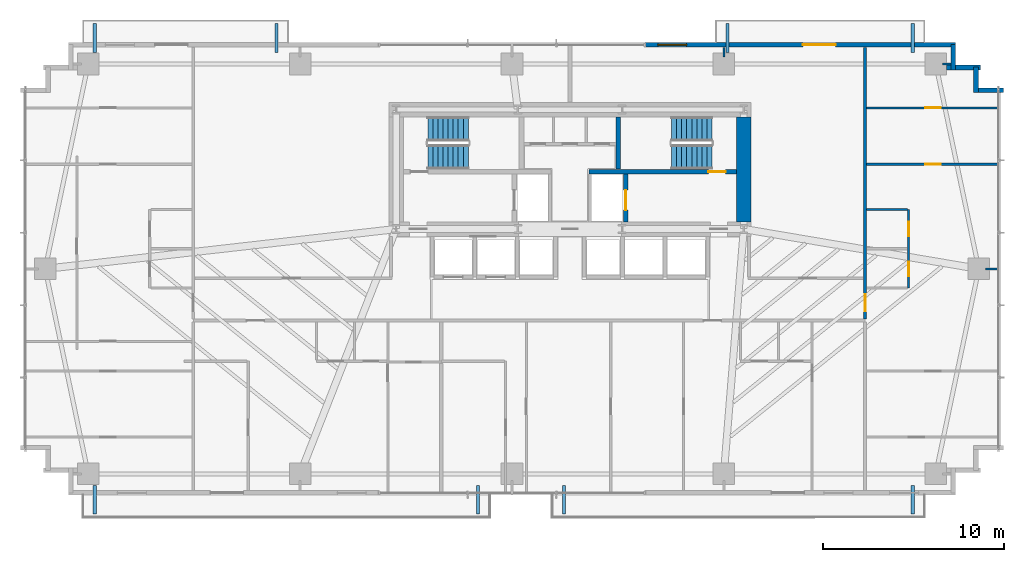
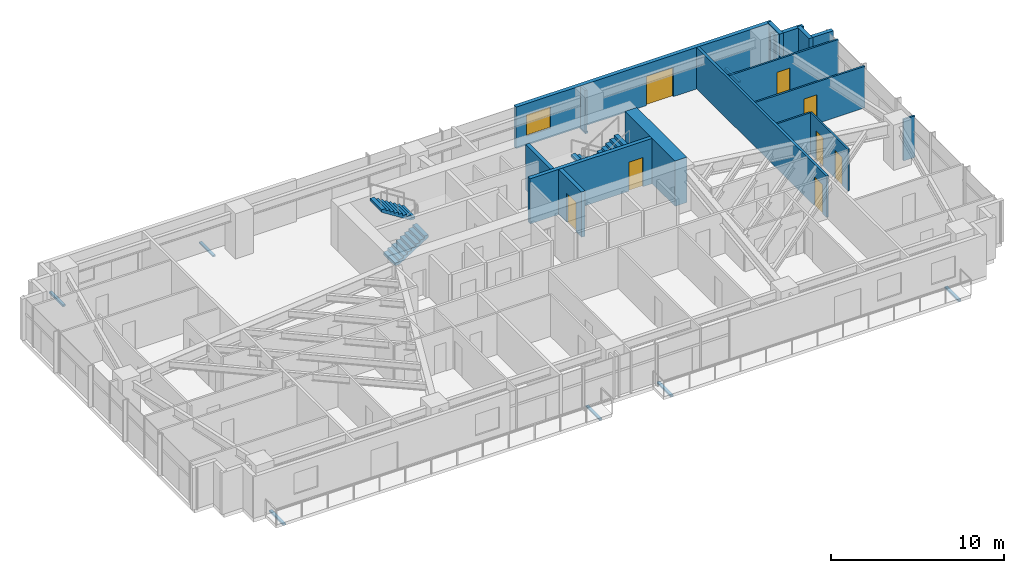
# One storey, part 22 of 25: 17 walls, 8 discrete accessories, 8 doors, 4 stair flights, 1 window, 9 openings, 2 elements without a shape of their own.
"""IFC4 building model written with IfcOpenShell, lengths in metres."""

import ifcopenshell
import ifcopenshell.guid

model = None  # the IFC model being written
_history = None  # IfcOwnerHistory: only IFC2X3 demands one
_inside = {}  # id of a spatial element -> (the spatial element, [elements in it])
_under = {}  # id of a project, library or spatial element -> (it, [spatial elements below it])
_declared = {}  # id of a project -> (the project, [libraries it declares])
_typed = {}  # id of a type object -> (the type object, [elements of that type])
_made_of = {}  # id of a material, layer set ... -> (it, [elements and type objects made of it])


def new_model(schema):
    """Start an empty IFC model of exactly this schema.

    Asked for "IFC4X3", IfcOpenShell would pick the latest addendum, in which some entities
    have other attributes; the version numbers below select the first issue.
    IFC2X3 requires an IfcOwnerHistory on every rooted entity: one is made here for all.
    """
    global model, _history
    if schema == "IFC4X3":
        model = ifcopenshell.file(schema_version=(4, 3, 0, 0))
    else:
        model = ifcopenshell.file(schema=schema)
    _inside.clear()
    _under.clear()
    _declared.clear()
    _typed.clear()
    _made_of.clear()
    _history = None
    if model.schema == "IFC2X3":
        org = make("IfcOrganization", Name="unknown")
        user = make(
            "IfcPersonAndOrganization",
            ThePerson=make("IfcPerson", FamilyName="unknown"),
            TheOrganization=org,
        )
        app = make(
            "IfcApplication",
            ApplicationDeveloper=org,
            Version="unknown",
            ApplicationFullName="unknown",
            ApplicationIdentifier="unknown",
        )
        _history = make(
            "IfcOwnerHistory",
            OwningUser=user,
            OwningApplication=app,
            ChangeAction="ADDED",
            CreationDate=0,
        )
    return model


def make(cls, **values):
    """One entity of the class cls with the attributes given. An attribute that is None is left unset."""
    return model.create_entity(
        cls, **{name: value for name, value in values.items() if value is not None}
    )


def rooted(cls, **values):
    """An entity with a GlobalId (a new one), such as an element, a storey or a relation."""
    return make(cls, GlobalId=ifcopenshell.guid.new(), OwnerHistory=_history, **values)


def si_unit(unit_type, name, prefix=None):
    """IfcSIUnit, for example si_unit("LENGTHUNIT", "METRE", prefix="MILLI")."""
    return make("IfcSIUnit", UnitType=unit_type, Prefix=prefix, Name=name)


def assignment(units):
    """IfcUnitAssignment: the units of a project."""
    return None if units is None else make("IfcUnitAssignment", Units=units)


def point(xyz):
    """IfcCartesianPoint."""
    return None if xyz is None else make("IfcCartesianPoint", Coordinates=xyz)


def direction(xyz):
    """IfcDirection."""
    return None if xyz is None else make("IfcDirection", DirectionRatios=xyz)


def frame(location, z_axis=None, x_axis=None):
    """IfcAxis2Placement3D, a coordinate frame: its origin and axes. An axis left out is left unset."""
    return make(
        "IfcAxis2Placement3D",
        Location=point(location),
        Axis=direction(z_axis),
        RefDirection=direction(x_axis),
    )


def frame_2d(location, x_axis=None):
    """IfcAxis2Placement2D, a coordinate frame in the plane: its origin and x axis."""
    return make(
        "IfcAxis2Placement2D", Location=point(location), RefDirection=direction(x_axis)
    )


def origin():
    """The frame at (0, 0, 0) with its axes left unset."""
    return frame((0.0, 0.0, 0.0))


def origin_2d():
    """The frame at (0, 0) in the plane with its x axis left unset."""
    return frame_2d((0.0, 0.0))


def place(relative_to, where):
    """IfcLocalPlacement: puts the frame where relative to a parent placement (None: the world)."""
    return make(
        "IfcLocalPlacement", PlacementRelTo=relative_to, RelativePlacement=where
    )


def context(
    kind, dimensions, precision=None, world=None, true_north=None, identifier=None
):
    """IfcGeometricRepresentationContext, for example the 3D "Model" context."""
    return make(
        "IfcGeometricRepresentationContext",
        ContextIdentifier=identifier,
        ContextType=kind,
        CoordinateSpaceDimension=dimensions,
        Precision=precision,
        WorldCoordinateSystem=world,
        TrueNorth=true_north,
    )


def subcontext(parent, identifier, kind, view, scale=None):
    """IfcGeometricRepresentationSubContext, for example "Body" below "Model"."""
    return make(
        "IfcGeometricRepresentationSubContext",
        ContextIdentifier=identifier,
        ContextType=kind,
        ParentContext=parent,
        TargetScale=scale,
        TargetView=view,
    )


def project(units=None, contexts=None):
    """IfcProject with its units and contexts."""
    return rooted(
        "IfcProject",
        Name="project",
        RepresentationContexts=contexts,
        UnitsInContext=assignment(units),
    )


def spatial(cls, under=None, at=None, **own):
    """A site, building, storey or space (cls), placed at a placement, below another one or the project."""
    s = rooted(cls, ObjectPlacement=at, **own)
    if under is not None:
        _under.setdefault(under.id(), (under, []))[1].append(s)
    return s


def polyline(points):
    """IfcPolyline through the points."""
    return make("IfcPolyline", Points=[point(p) for p in points])


def profile(cls, at=None, kind="AREA", **sizes):
    """A parametric profile (cls). Its sizes go by their IFC names, for example OverallWidth=200.0."""
    return make(cls, ProfileType=kind, Position=at, **sizes)


def rectangle(**sizes):
    """IfcRectangleProfileDef."""
    return profile("IfcRectangleProfileDef", **sizes)


def outline(outer, holes=None, kind="AREA"):
    """IfcArbitraryClosedProfileDef: a profile drawn as a closed curve; with holes, ...WithVoids."""
    if holes is None:
        return make("IfcArbitraryClosedProfileDef", ProfileType=kind, OuterCurve=outer)
    return make(
        "IfcArbitraryProfileDefWithVoids",
        ProfileType=kind,
        OuterCurve=outer,
        InnerCurves=holes,
    )


def extrude(swept, where, along, depth):
    """IfcExtrudedAreaSolid: the profile swept, set in the frame where, extruded along a direction by depth."""
    return make(
        "IfcExtrudedAreaSolid",
        SweptArea=swept,
        Position=where,
        ExtrudedDirection=direction(along),
        Depth=depth,
    )


def shape(context_of_items, identifier, shape_type, items):
    """IfcShapeRepresentation: the items that make up one representation, for example the "Body"."""
    return make(
        "IfcShapeRepresentation",
        ContextOfItems=context_of_items,
        RepresentationIdentifier=identifier,
        RepresentationType=shape_type,
        Items=items,
    )


def source(mapping_origin, context_of_items, identifier, shape_type, items):
    """IfcRepresentationMap: a shape defined once, which mapped items show again and again."""
    return make(
        "IfcRepresentationMap",
        MappingOrigin=mapping_origin,
        MappedRepresentation=shape(context_of_items, identifier, shape_type, items),
    )


def transform(
    local_origin,
    x_axis=None,
    y_axis=None,
    z_axis=None,
    scale=None,
    scale2=None,
    scale3=None,
    uniform=True,
):
    """IfcCartesianTransformationOperator3D, or its non-uniform kind. x_axis, y_axis, z_axis: its Axis1, 2, 3."""
    if uniform:
        return make(
            "IfcCartesianTransformationOperator3D",
            Axis1=direction(x_axis),
            Axis2=direction(y_axis),
            LocalOrigin=point(local_origin),
            Scale=scale,
            Axis3=direction(z_axis),
        )
    return make(
        "IfcCartesianTransformationOperator3DnonUniform",
        Axis1=direction(x_axis),
        Axis2=direction(y_axis),
        LocalOrigin=point(local_origin),
        Scale=scale,
        Axis3=direction(z_axis),
        Scale2=scale2,
        Scale3=scale3,
    )


def mapped(mapping_source, mapping_target):
    """IfcMappedItem: shows the shape of a source again, moved by a transform."""
    return make(
        "IfcMappedItem", MappingSource=mapping_source, MappingTarget=mapping_target
    )


def material(Name=None, Category=None):
    """IfcMaterial."""
    return make("IfcMaterial", Name=Name, Category=Category)


def layer(
    of_material, thickness, ventilated=None, Name=None, Category=None, Priority=None
):
    """IfcMaterialLayer: one layer of a wall or slab, of a material (None: an air gap)."""
    return make(
        "IfcMaterialLayer",
        Material=of_material,
        LayerThickness=thickness,
        IsVentilated=ventilated,
        Name=Name,
        Category=Category,
        Priority=Priority,
    )


def layer_set(layers, Name=None):
    """IfcMaterialLayerSet."""
    return make("IfcMaterialLayerSet", MaterialLayers=layers, LayerSetName=Name)


def made_of(thing, what):
    """Note that an element or type object is made of a material, layer set ...; save() writes the relation."""
    if what is not None:
        _made_of.setdefault(what.id(), (what, []))[1].append(thing)
    return thing


def type_object(cls, material=None, **own):
    """A type object (cls), such as IfcWallType, which elements share."""
    return made_of(rooted(cls, **own), material)


def type_shapes(of_type, sources):
    """Give a type object the sources (RepresentationMaps) that its elements show as mapped items."""
    of_type.RepresentationMaps = sources


def element(
    cls,
    number,
    at=None,
    inside=None,
    cuts=None,
    type_object=None,
    material=None,
    context=None,
    identifier="Body",
    shape_type=None,
    held_by="IfcProductDefinitionShape",
    body=None,
    shapes=None,
    **own,
):
    """One element of the class cls, such as IfcWall. Its Tag is "e" and its number.

    at: its placement. inside: the storey or other place that contains it. cuts: it is an
    opening in that element (IfcRelVoidsElement). A single representation is given by context,
    identifier, shape_type and body (its items); several are given by shapes. held_by: the class
    of the entity that holds the representations. save() writes the other relations.
    """
    e = rooted(cls, Tag="e%d" % number, ObjectPlacement=at, **own)
    if body is not None:
        shapes = [shape(context, identifier, shape_type, body)]
    if shapes is not None:
        e.Representation = make(held_by, Representations=shapes)
    if inside is not None:
        _inside.setdefault(inside.id(), (inside, []))[1].append(e)
    if cuts is not None:
        rooted(
            "IfcRelVoidsElement", RelatingBuildingElement=cuts, RelatedOpeningElement=e
        )
    if type_object is not None:
        _typed.setdefault(type_object.id(), (type_object, []))[1].append(e)
    return made_of(e, material)


def fill(opening, filler):
    """IfcRelFillsElement: the door or window that sits in an opening."""
    return rooted(
        "IfcRelFillsElement",
        RelatingOpeningElement=opening,
        RelatedBuildingElement=filler,
    )


def aggregate(whole, parts):
    """IfcRelAggregates: a whole, such as a stair, and the parts it consists of."""
    return rooted("IfcRelAggregates", RelatingObject=whole, RelatedObjects=parts)


def save(model, path):
    """Write the relations noted so far, then the file.

    IfcRelAggregates (storeys below a building ...), IfcRelContainedInSpatialStructure (elements
    in a storey), IfcRelDefinesByType, IfcRelAssociatesMaterial and IfcRelDeclares: one each for
    every whole, place, type object, material and project.
    """
    for whole, parts in _under.values():
        aggregate(whole, parts)
    for where, things in _inside.values():
        rooted(
            "IfcRelContainedInSpatialStructure",
            RelatedElements=things,
            RelatingStructure=where,
        )
    for kind, things in _typed.values():
        rooted("IfcRelDefinesByType", RelatedObjects=things, RelatingType=kind)
    for what, things in _made_of.values():
        rooted("IfcRelAssociatesMaterial", RelatedObjects=things, RelatingMaterial=what)
    for by, libraries in _declared.values():
        rooted("IfcRelDeclares", RelatingContext=by, RelatedDefinitions=libraries)
    model.write(path)


model = new_model("IFC4")

# Units and contexts
model_context = context("Model", 3, precision=1e-05, world=origin(), true_north=direction((0.0, 1.0)))
body_context = subcontext(model_context, "Body", "Model", "MODEL_VIEW")
ifc_project = project(units=[si_unit("LENGTHUNIT", "METRE"), si_unit("AREAUNIT", "SQUARE_METRE"), si_unit("VOLUMEUNIT", "CUBIC_METRE"), si_unit("PLANEANGLEUNIT", "RADIAN"), si_unit("MASSUNIT", "GRAM", prefix="KILO")], contexts=[model_context])

# Site, building, storey
site_placement = place(None, origin())
site = spatial("IfcSite", under=ifc_project, at=site_placement, CompositionType="ELEMENT")
building_placement = place(site_placement, origin())
building = spatial("IfcBuilding", under=site, at=building_placement, Name="Astriad Promenade Condominiums", CompositionType="ELEMENT")
storey_placement = place(building_placement, frame((0.0, 0.0, 29.39990234375)))
storey = spatial("IfcBuildingStorey", under=building, at=storey_placement, Name="L07", CompositionType="ELEMENT", Elevation=29.39990234375)

# Wall
ifc_material_1 = material(Name="Concrete C80/95", Category="concrete")
ifc_layer_1 = layer(ifc_material_1, 0.800048828125)
ifc_layer_set_1 = layer_set([ifc_layer_1], Name="Concrete C80/95")
wall_type_1 = type_object("IfcWallType", Name="CW-SHEAR-800", PredefinedType="SHEAR", material=ifc_layer_set_1)
wall_1_placement = place(storey_placement, frame((45.60009765625, 17.802001953125, 0.0), z_axis=(0.0, 0.0, 1.0), x_axis=(0.0, 1.0, 0.0)))
element("IfcWall", 1, at=wall_1_placement, inside=storey, type_object=wall_type_1, Name="CW-CORE-E-L07", PredefinedType="SHEAR", context=body_context, shape_type="SweptSolid", body=[
    extrude(rectangle(XDim=5.7958984375, YDim=0.800048828125, at=frame_2d((2.89794921875, 0.0))), origin(), (0.0, 0.0, 1.0), 3.2001953125),
])

# Wall, opening, door
ifc_material_2 = material(Name="Concrete C50/60", Category="concrete")
ifc_layer_2 = layer(ifc_material_2, 0.25)
ifc_layer_set_2 = layer_set([ifc_layer_2], Name="Concrete C50/60")
wall_type_2 = type_object("IfcWallType", Name="WALL-CORE-INT-250", PredefinedType="SOLIDWALL", material=ifc_layer_set_2)
wall_2_placement = place(storey_placement, frame((37.050048828125, 20.574951171875, 0.0), z_axis=(0.0, 0.0, 1.0), x_axis=(1.0, 0.0, 0.0)))
wall_2 = element("IfcWall", 2, at=wall_2_placement, inside=storey, type_object=wall_type_2, Name="CW-INT-H2-L07", PredefinedType="SOLIDWALL", context=body_context, shape_type="SweptSolid", body=[
    extrude(rectangle(XDim=8.14794921875, YDim=0.25, at=frame_2d((4.073974609375, 0.0))), origin(), (0.0, 0.0, 1.0), 3.2001953125),
])
opening_1_placement = place(wall_2_placement, frame((6.60009765625, 0.0, 0.0)))
opening_1 = element("IfcOpeningElement", 3, at=opening_1_placement, cuts=wall_2, Name="Opening FD90-ST-095", PredefinedType="OPENING", context=body_context, shape_type="SweptSolid", body=[
    extrude(rectangle(XDim=0.949951171875, YDim=2.06005859375, at=frame_2d((0.47509765625, 1.030029296875))), frame((0.0, 0.135009765625, 0.0), z_axis=(0.0, -1.0, 0.0), x_axis=(1.0, 0.0, 0.0)), (0.0, 0.0, 1.0), 0.27001953125),
])
ifc_material_3 = material(Name="Fire-Rated Hollow Metal Stair Door")
door_type_1 = type_object("IfcDoorType", Name="FD90-ST-095", OperationType="NOTDEFINED", PredefinedType="DOOR", material=ifc_material_3)
shared_shape_1 = source(origin(), body_context, "Body", "SweptSolid", [
    extrude(rectangle(XDim=0.949951171875, YDim=2.06005859375, at=frame_2d((0.47509765625, 1.030029296875))), frame((0.0, 0.02490234375, 0.0), z_axis=(0.0, -1.0, 0.0), x_axis=(1.0, 0.0, 0.0)), (0.0, 0.0, 1.0), 0.050048828125),
])
type_shapes(door_type_1, [shared_shape_1])
door_1_placement = place(opening_1_placement, origin())
door_1 = element("IfcDoor", 4, at=door_1_placement, inside=storey, type_object=door_type_1, Name="D-ST2-L07", OperationType="SINGLE_SWING_LEFT", OverallHeight=2.06005859375, OverallWidth=0.949951171875, PredefinedType="DOOR", context=body_context, shape_type="MappedRepresentation", body=[
    mapped(shared_shape_1, transform((0.0, 0.0, 0.0), scale=1.0)),
])
fill(opening_1, door_1)

# Wall
wall_3_placement = place(storey_placement, frame((38.675048828125, 20.701904296875, 0.0), z_axis=(0.0, 0.0, 1.0), x_axis=(0.0, 1.0, 0.0)))
element("IfcWall", 5, at=wall_3_placement, inside=storey, type_object=wall_type_2, Name="CW-ST2-W-L07", PredefinedType="SOLIDWALL", context=body_context, shape_type="SweptSolid", body=[
    extrude(rectangle(XDim=2.89599609375, YDim=0.25, at=frame_2d((1.447998046875, 0.0))), origin(), (0.0, 0.0, 1.0), 3.2001953125),
])

# Wall, opening, door
wall_4_placement = place(storey_placement, frame((39.074951171875, 17.802001953125, 0.0), z_axis=(0.0, 0.0, 1.0), x_axis=(0.0, 1.0, 0.0)))
wall_4 = element("IfcWall", 6, at=wall_4_placement, inside=storey, type_object=wall_type_2, Name="CW-FFL2-E-L07", PredefinedType="SOLIDWALL", context=body_context, shape_type="SweptSolid", body=[
    extrude(rectangle(XDim=2.64599609375, YDim=0.25, at=frame_2d((1.322998046875, 0.0))), origin(), (0.0, 0.0, 1.0), 3.2001953125),
])
opening_2_placement = place(wall_4_placement, frame((0.64794921875, 0.0, 0.0)))
opening_2 = element("IfcOpeningElement", 7, at=opening_2_placement, cuts=wall_4, Name="Opening LD-FFL-1122", PredefinedType="OPENING", context=body_context, shape_type="SweptSolid", body=[
    extrude(rectangle(XDim=1.10009765625, YDim=2.080078125, at=frame_2d((0.550048828125, 1.0400390625))), frame((0.0, 0.135009765625, 0.0), z_axis=(0.0, -1.0, 0.0), x_axis=(1.0, 0.0, 0.0)), (0.0, 0.0, 1.0), 0.27001953125),
])
ifc_material_4 = material(Name="Brushed Stainless Steel Fire Elevator Landing Door", Category="steel")
door_type_2 = type_object("IfcDoorType", Name="LD-FFL-1122", OperationType="NOTDEFINED", PredefinedType="DOOR", material=ifc_material_4)
shared_shape_2 = source(origin(), body_context, "Body", "SweptSolid", [
    extrude(rectangle(XDim=1.10009765625, YDim=2.080078125, at=frame_2d((0.550048828125, 1.0400390625))), frame((0.0, 0.02490234375, 0.0), z_axis=(0.0, -1.0, 0.0), x_axis=(1.0, 0.0, 0.0)), (0.0, 0.0, 1.0), 0.050048828125),
])
type_shapes(door_type_2, [shared_shape_2])
door_2_placement = place(opening_2_placement, origin())
door_2 = element("IfcDoor", 8, at=door_2_placement, inside=storey, type_object=door_type_2, Name="Elevator Landing Door FFL-2 (L07)", OperationType="SLIDING_TO_RIGHT", OverallHeight=2.080078125, OverallWidth=1.10009765625, PredefinedType="DOOR", context=body_context, shape_type="MappedRepresentation", body=[
    mapped(shared_shape_2, transform((0.0, 0.0, 0.0), scale=1.0)),
])
fill(opening_2, door_2)

ifc_material_5 = material(Name="Fire-Rated Gypsum Partition")
ifc_layer_3 = layer(ifc_material_5, 0.159912109375)
ifc_layer_set_3 = layer_set([ifc_layer_3], Name="Fire-Rated Gypsum Partition")
wall_type_3 = type_object("IfcWallType", Name="WALL-CORR-160", PredefinedType="PARTITIONING", material=ifc_layer_set_3)
wall_5_placement = place(storey_placement, frame((52.300048828125, 12.431884765625, 0.0), z_axis=(0.0, 0.0, 1.0), x_axis=(0.0, 1.0, 0.0)))
wall_5 = element("IfcWall", 9, at=wall_5_placement, inside=storey, type_object=wall_type_3, Name="PT-COR-E-L07-S2", PredefinedType="PARTITIONING", context=body_context, shape_type="SweptSolid", body=[
    extrude(rectangle(XDim=15.006103515625, YDim=0.159912109375, at=frame_2d((7.5029296875, 0.0))), origin(), (0.0, 0.0, 1.0), 2.940185546875),
])
opening_3_placement = place(wall_5_placement, frame((0.428955078125, 0.0, 0.0)))
opening_3 = element("IfcOpeningElement", 10, at=opening_3_placement, cuts=wall_5, Name="Opening FD60-APT-095", PredefinedType="OPENING", context=body_context, shape_type="SweptSolid", body=[
    extrude(rectangle(XDim=0.949951171875, YDim=2.06005859375, at=frame_2d((0.47509765625, 1.030029296875))), frame((0.0, 0.08984375, 0.0), z_axis=(0.0, -1.0, 0.0), x_axis=(1.0, 0.0, 0.0)), (0.0, 0.0, 1.0), 0.179931640625),
])
ifc_material_6 = material(Name="Solid-Core Acoustic Timber Residence Entry Door", Category="wood")
door_type_3 = type_object("IfcDoorType", Name="FD60-APT-095", OperationType="NOTDEFINED", PredefinedType="DOOR", material=ifc_material_6)
shared_shape_3 = source(origin(), body_context, "Body", "SweptSolid", [
    extrude(rectangle(XDim=0.949951171875, YDim=2.06005859375, at=frame_2d((0.47509765625, 1.030029296875))), frame((0.0, 0.02490234375, 0.0), z_axis=(0.0, -1.0, 0.0), x_axis=(1.0, 0.0, 0.0)), (0.0, 0.0, 1.0), 0.050048828125),
])
type_shapes(door_type_3, [shared_shape_3])
door_3_placement = place(opening_3_placement, origin())
door_3 = element("IfcDoor", 11, at=door_3_placement, inside=storey, type_object=door_type_3, Name="D-ENT-L07-E1", OperationType="SINGLE_SWING_RIGHT", OverallHeight=2.06005859375, OverallWidth=0.949951171875, PredefinedType="DOOR", context=body_context, shape_type="MappedRepresentation", body=[
    mapped(shared_shape_3, transform((0.0, 0.0, 0.0), scale=1.0)),
])
fill(opening_3, door_3)

# Wall, openings, door, window
ifc_material_7 = material(Name="Precast concrete C50/60", Category="concrete")
ifc_layer_4 = layer(ifc_material_7, 0.260009765625)
ifc_layer_set_4 = layer_set([ifc_layer_4], Name="Precast concrete C50/60")
wall_type_4 = type_object("IfcWallType", Name="WALL-EXT-TWR-260", PredefinedType="STANDARD", material=ifc_layer_set_4)
wall_6_placement = place(storey_placement, frame((40.14990234375, 27.570068359375, 0.0), z_axis=(0.0, 0.0, 1.0), x_axis=(1.0, 0.0, 0.0)))
wall_6 = element("IfcWall", 12, at=wall_6_placement, inside=storey, type_object=wall_type_4, Name="W-EXT-L07-N2", PredefinedType="STANDARD", context=body_context, shape_type="SweptSolid", body=[
    extrude(rectangle(XDim=17.150146484375, YDim=0.260009765625, at=frame_2d((8.5751953125, 0.0))), origin(), (0.0, 0.0, 1.0), 2.940185546875),
])
opening_4_placement = place(wall_6_placement, frame((8.719970703125, 0.0, 0.0)))
opening_4 = element("IfcOpeningElement", 13, at=opening_4_placement, cuts=wall_6, Name="Opening BD-1822-SLD", PredefinedType="OPENING", context=body_context, shape_type="SweptSolid", body=[
    extrude(rectangle(XDim=1.800048828125, YDim=2.06005859375, at=frame_2d((0.89990234375, 1.030029296875))), frame((0.0, 0.139892578125, 0.0), z_axis=(0.0, -1.0, 0.0), x_axis=(1.0, 0.0, 0.0)), (0.0, 0.0, 1.0), 0.280029296875),
])
opening_5_placement = place(wall_6_placement, frame((0.699951171875, 0.0, 0.64990234375)))
opening_5 = element("IfcOpeningElement", 14, at=opening_5_placement, cuts=wall_6, Name="Opening WIN-TWR-1620", PredefinedType="OPENING", context=body_context, shape_type="SweptSolid", body=[
    extrude(rectangle(XDim=1.60009765625, YDim=1.5, at=frame_2d((0.800048828125, 0.75))), frame((0.0, 0.139892578125, 0.0), z_axis=(0.0, -1.0, 0.0), x_axis=(1.0, 0.0, 0.0)), (0.0, 0.0, 1.0), 0.280029296875),
])
ifc_material_8 = material(Name="Thermally Broken Aluminium Sliding Balcony Door", Category="aluminium")
door_type_4 = type_object("IfcDoorType", Name="BD-1822-SLD", OperationType="NOTDEFINED", PredefinedType="DOOR", material=ifc_material_8)
shared_shape_4 = source(origin(), body_context, "Body", "SweptSolid", [
    extrude(rectangle(XDim=1.800048828125, YDim=2.06005859375, at=frame_2d((0.89990234375, 1.030029296875))), frame((0.0, 0.02490234375, 0.0), z_axis=(0.0, -1.0, 0.0), x_axis=(1.0, 0.0, 0.0)), (0.0, 0.0, 1.0), 0.050048828125),
])
type_shapes(door_type_4, [shared_shape_4])
door_4_placement = place(opening_4_placement, origin())
door_4 = element("IfcDoor", 15, at=door_4_placement, inside=storey, type_object=door_type_4, Name="BD-L07-NE", OperationType="SLIDING_TO_RIGHT", OverallHeight=2.06005859375, OverallWidth=1.800048828125, PredefinedType="DOOR", context=body_context, shape_type="MappedRepresentation", body=[
    mapped(shared_shape_4, transform((0.0, 0.0, 0.0), scale=1.0)),
])
fill(opening_4, door_4)
ifc_material_9 = material(Name="Dark Tinted Triple-Glazed Aluminium Window", Category="aluminium")
window_type = type_object("IfcWindowType", Name="WIN-TWR-1620", PartitioningType="SINGLE_PANEL", PredefinedType="WINDOW", material=ifc_material_9)
shared_shape_5 = source(origin(), body_context, "Body", "SweptSolid", [
    extrude(rectangle(XDim=1.60009765625, YDim=1.5, at=frame_2d((0.800048828125, 0.75))), frame((0.0, 0.030029296875, 0.0), z_axis=(0.0, -1.0, 0.0), x_axis=(1.0, 0.0, 0.0)), (0.0, 0.0, 1.0), 0.06005859375),
])
type_shapes(window_type, [shared_shape_5])
window_placement = place(opening_5_placement, origin())
window = element("IfcWindow", 16, at=window_placement, inside=storey, type_object=window_type, Name="WIN-L07-NE", OverallHeight=1.5, OverallWidth=1.60009765625, PartitioningType="SINGLE_PANEL", PredefinedType="WINDOW", context=body_context, shape_type="MappedRepresentation", body=[
    mapped(shared_shape_5, transform((0.0, 0.0, 0.0), scale=1.0)),
])
fill(opening_5, window)

# Walls
wall_7_placement = place(storey_placement, frame((57.169921875, 27.5849609375, 0.0), z_axis=(0.0, 0.0, 1.0), x_axis=(0.0, -1.0, 0.0)))
element("IfcWall", 17, at=wall_7_placement, inside=storey, type_object=wall_type_4, Name="W-SER-L07-09", PredefinedType="STANDARD", context=body_context, shape_type="SweptSolid", body=[
    extrude(rectangle(XDim=1.39501953125, YDim=0.260009765625, at=frame_2d((0.697509765625, 0.0))), origin(), (0.0, 0.0, 1.0), 2.940185546875),
])
wall_8_placement = place(storey_placement, frame((56.802001953125, 26.320068359375, 0.0), z_axis=(0.0, 0.0, 1.0), x_axis=(1.0, 0.0, 0.0)))
element("IfcWall", 18, at=wall_8_placement, inside=storey, type_object=wall_type_4, Name="W-SER-L07-10", PredefinedType="STANDARD", context=body_context, shape_type="SweptSolid", body=[
    extrude(rectangle(XDim=1.8779296875, YDim=0.260009765625, at=frame_2d((0.93896484375, 0.0))), origin(), (0.0, 0.0, 1.0), 2.940185546875),
])
for number, where, z_axis, x_axis, name in (
    (19, (58.419921875, 26.3349609375, 0.0), (0.0, 0.0, 1.0), (0.0, -1.0, 0.0), "W-SER-L07-11"),
    (20, (58.534912109375, 25.070068359375, 0.0), (0.0, 0.0, 1.0), (1.0, 0.0, 0.0), "W-SER-L07-12"),
):
    element("IfcWall", number, at=place(storey_placement, frame(where, z_axis=z_axis, x_axis=x_axis)), inside=storey, type_object=wall_type_4, Name=name, PredefinedType="STANDARD", context=body_context, shape_type="SweptSolid", body=[
        extrude(rectangle(XDim=1.39501953125, YDim=0.260009765625, at=frame_2d((0.697509765625, 0.0))), origin(), (0.0, 0.0, 1.0), 2.940185546875),
    ])

# Wall, openings, doors
ifc_material_10 = material(Name="Acoustic Metal-Stud Gypsum Partition")
ifc_layer_5 = layer(ifc_material_10, 0.1201171875)
ifc_layer_set_5 = layer_set([ifc_layer_5], Name="Acoustic Metal-Stud Gypsum Partition")
wall_type_5 = type_object("IfcWallType", Name="WALL-PART-120", PredefinedType="PARTITIONING", material=ifc_layer_set_5)
wall_9_placement = place(storey_placement, frame((54.699951171875, 14.135986328125, 0.0), z_axis=(0.0, 0.0, 1.0), x_axis=(0.0, 1.0, 0.0)))
wall_9 = element("IfcWall", 21, at=wall_9_placement, inside=storey, type_object=wall_type_5, Name="PT-L07-E1-PV", PredefinedType="PARTITIONING", context=body_context, shape_type="SweptSolid", body=[
    extrude(rectangle(XDim=4.35009765625, YDim=0.1201171875, at=frame_2d((2.175048828125, 0.0))), origin(), (0.0, 0.0, 1.0), 2.940185546875),
])
opening_6_placement = place(wall_9_placement, frame((0.662109375, 0.0, 0.0)))
opening_6 = element("IfcOpeningElement", 22, at=opening_6_placement, cuts=wall_9, Name="Opening D-ULOW-080", PredefinedType="OPENING", context=body_context, shape_type="SweptSolid", body=[
    extrude(rectangle(XDim=0.800048828125, YDim=2.0, at=frame_2d((0.39990234375, 1.0))), frame((0.0, 0.070068359375, 0.0), z_axis=(0.0, -1.0, 0.0), x_axis=(1.0, 0.0, 0.0)), (0.0, 0.0, 1.0), 0.14013671875),
])
opening_7_placement = place(wall_9_placement, frame((2.862060546875, 0.0, 0.0)))
opening_7 = element("IfcOpeningElement", 23, at=opening_7_placement, cuts=wall_9, Name="Opening D-WET-080", PredefinedType="OPENING", context=body_context, shape_type="SweptSolid", body=[
    extrude(rectangle(XDim=0.800048828125, YDim=2.02001953125, at=frame_2d((0.39990234375, 1.010009765625))), frame((0.0, 0.070068359375, 0.0), z_axis=(0.0, -1.0, 0.0), x_axis=(1.0, 0.0, 0.0)), (0.0, 0.0, 1.0), 0.14013671875),
])
ifc_material_11 = material(Name="Moisture-Resistant Timber Bathroom Door", Category="wood")
door_type_5 = type_object("IfcDoorType", Name="D-WET-080", OperationType="NOTDEFINED", PredefinedType="DOOR", material=ifc_material_11)
shared_shape_6 = source(origin(), body_context, "Body", "SweptSolid", [
    extrude(rectangle(XDim=0.800048828125, YDim=2.02001953125, at=frame_2d((0.39990234375, 1.010009765625))), frame((0.0, 0.02490234375, 0.0), z_axis=(0.0, -1.0, 0.0), x_axis=(1.0, 0.0, 0.0)), (0.0, 0.0, 1.0), 0.050048828125),
])
type_shapes(door_type_5, [shared_shape_6])
door_5_placement = place(opening_7_placement, origin())
door_5 = element("IfcDoor", 24, at=door_5_placement, inside=storey, type_object=door_type_5, Name="D-BTH-L07-E1", OperationType="SINGLE_SWING_RIGHT", OverallHeight=2.02001953125, OverallWidth=0.800048828125, PredefinedType="DOOR", context=body_context, shape_type="MappedRepresentation", body=[
    mapped(shared_shape_6, transform((0.0, 0.0, 0.0), scale=1.0)),
])
fill(opening_7, door_5)
ifc_material_12 = material(Name="Painted Timber Low-Headroom Door", Category="wood")
door_type_6 = type_object("IfcDoorType", Name="D-ULOW-080", OperationType="NOTDEFINED", PredefinedType="DOOR", material=ifc_material_12)
shared_shape_7 = source(origin(), body_context, "Body", "SweptSolid", [
    extrude(rectangle(XDim=0.800048828125, YDim=2.0, at=frame_2d((0.39990234375, 1.0))), frame((0.0, 0.02490234375, 0.0), z_axis=(0.0, -1.0, 0.0), x_axis=(1.0, 0.0, 0.0)), (0.0, 0.0, 1.0), 0.050048828125),
])
type_shapes(door_type_6, [shared_shape_7])
door_6_placement = place(opening_6_placement, origin())
door_6 = element("IfcDoor", 25, at=door_6_placement, inside=storey, type_object=door_type_6, Name="D-KIT-L07-E1", OperationType="SINGLE_SWING_LEFT", OverallHeight=2.0, OverallWidth=0.800048828125, PredefinedType="DOOR", context=body_context, shape_type="MappedRepresentation", body=[
    mapped(shared_shape_7, transform((0.0, 0.0, 0.0), scale=1.0)),
])
fill(opening_6, door_6)

# Wall
wall_10_placement = place(storey_placement, frame((52.382080078125, 18.486083984375, 0.0), z_axis=(0.0, 0.0, 1.0), x_axis=(1.0, 0.0, 0.0)))
element("IfcWall", 26, at=wall_10_placement, inside=storey, type_object=wall_type_5, Name="PT-L07-E1-PN", PredefinedType="PARTITIONING", context=body_context, shape_type="SweptSolid", body=[
    extrude(rectangle(XDim=2.255859375, YDim=0.1201171875, at=frame_2d((1.1279296875, 0.0))), origin(), (0.0, 0.0, 1.0), 2.940185546875),
])

# Wall, opening, door
wall_11_placement = place(storey_placement, frame((52.382080078125, 24.090087890625, 0.0), z_axis=(0.0, 0.0, 1.0), x_axis=(1.0, 0.0, 0.0)))
wall_11 = element("IfcWall", 27, at=wall_11_placement, inside=storey, type_object=wall_type_5, Name="PT-L07-E1-B1", PredefinedType="PARTITIONING", context=body_context, shape_type="SweptSolid", body=[
    extrude(rectangle(XDim=7.337890625, YDim=0.1201171875, at=frame_2d((3.6689453125, 0.0))), origin(), (0.0, 0.0, 1.0), 2.940185546875),
])
opening_8_placement = place(wall_11_placement, frame((3.2529296875, 0.0, 0.0)))
opening_8 = element("IfcOpeningElement", 28, at=opening_8_placement, cuts=wall_11, Name="Opening D-INT-085", PredefinedType="OPENING", context=body_context, shape_type="SweptSolid", body=[
    extrude(rectangle(XDim=0.85009765625, YDim=2.050048828125, at=frame_2d((0.425048828125, 1.02490234375))), frame((0.0, 0.070068359375, 0.0), z_axis=(0.0, -1.0, 0.0), x_axis=(1.0, 0.0, 0.0)), (0.0, 0.0, 1.0), 0.14013671875),
])
ifc_material_13 = material(Name="Painted Solid-Core Timber Room Door", Category="wood")
door_type_7 = type_object("IfcDoorType", Name="D-INT-085", OperationType="NOTDEFINED", PredefinedType="DOOR", material=ifc_material_13)
shared_shape_8 = source(origin(), body_context, "Body", "SweptSolid", [
    extrude(rectangle(XDim=0.85009765625, YDim=2.050048828125, at=frame_2d((0.425048828125, 1.02490234375))), frame((0.0, 0.02490234375, 0.0), z_axis=(0.0, -1.0, 0.0), x_axis=(1.0, 0.0, 0.0)), (0.0, 0.0, 1.0), 0.050048828125),
])
type_shapes(door_type_7, [shared_shape_8])
door_7_placement = place(opening_8_placement, origin())
door_7 = element("IfcDoor", 29, at=door_7_placement, inside=storey, type_object=door_type_7, Name="D-BD1-L07-E1", OperationType="SINGLE_SWING_LEFT", OverallHeight=2.050048828125, OverallWidth=0.85009765625, PredefinedType="DOOR", context=body_context, shape_type="MappedRepresentation", body=[
    mapped(shared_shape_8, transform((0.0, 0.0, 0.0), scale=1.0)),
])
fill(opening_8, door_7)

wall_12_placement = place(storey_placement, frame((52.382080078125, 20.98095703125, 0.0), z_axis=(0.0, 0.0, 1.0), x_axis=(1.0, 0.0, 0.0)))
wall_12 = element("IfcWall", 30, at=wall_12_placement, inside=storey, type_object=wall_type_5, Name="PT-L07-E1-WDN2", PredefinedType="PARTITIONING", context=body_context, shape_type="SweptSolid", body=[
    extrude(rectangle(XDim=7.337890625, YDim=0.1201171875, at=frame_2d((3.6689453125, 0.0))), origin(), (0.0, 0.0, 1.0), 2.940185546875),
])
opening_9_placement = place(wall_12_placement, frame((3.2529296875, 0.0, 0.0)))
opening_9 = element("IfcOpeningElement", 31, at=opening_9_placement, cuts=wall_12, Name="Opening D-INT-085", PredefinedType="OPENING", context=body_context, shape_type="SweptSolid", body=[
    extrude(rectangle(XDim=0.85009765625, YDim=2.050048828125, at=frame_2d((0.425048828125, 1.02490234375))), frame((0.0, 0.070068359375, 0.0), z_axis=(0.0, -1.0, 0.0), x_axis=(1.0, 0.0, 0.0)), (0.0, 0.0, 1.0), 0.14013671875),
])
door_8_placement = place(opening_9_placement, origin())
door_8 = element("IfcDoor", 32, at=door_8_placement, inside=storey, type_object=door_type_7, Name="D-WDN2-L07-E1", OperationType="SINGLE_SWING_RIGHT", OverallHeight=2.050048828125, OverallWidth=0.85009765625, PredefinedType="DOOR", context=body_context, shape_type="MappedRepresentation", body=[
    mapped(shared_shape_8, transform((0.0, 0.0, 0.0), scale=1.0)),
])
fill(opening_9, door_8)

# Walls
wall_13_placement = place(storey_placement, frame((44.5, 26.89990234375, 0.0), z_axis=(0.0, 0.0, 1.0), x_axis=(0.0, 1.0, 0.0)))
element("IfcWall", 33, at=wall_13_placement, inside=storey, type_object=wall_type_5, Name="PT-PIL-L07-PC09-16", PredefinedType="PARTITIONING", context=body_context, shape_type="SweptSolid", body=[
    extrude(rectangle(XDim=0.5380859375, YDim=0.1201171875, at=frame_2d((0.26904296875, 0.0))), origin(), (0.0, 0.0, 1.0), 2.940185546875),
])
wall_14_placement = place(storey_placement, frame((56.580078125, 26.52001953125, 0.0), z_axis=(0.0, 0.0, 1.0), x_axis=(1.0, 0.0, 0.0)))
element("IfcWall", 34, at=wall_14_placement, inside=storey, type_object=wall_type_5, Name="PT-PIL-L07-PC10-17", PredefinedType="PARTITIONING", context=body_context, shape_type="SweptSolid", body=[
    extrude(rectangle(XDim=0.4580078125, YDim=0.1201171875, at=frame_2d((0.22900390625, 0.0))), origin(), (0.0, 0.0, 1.0), 2.940185546875),
])
wall_15_placement = place(storey_placement, frame((58.9599609375, 15.199951171875, 0.0), z_axis=(0.0, 0.0, 1.0), x_axis=(1.0, 0.0, 0.0)))
element("IfcWall", 35, at=wall_15_placement, inside=storey, type_object=wall_type_5, Name="PT-PIL-L07-PC12-19", PredefinedType="PARTITIONING", context=body_context, shape_type="SweptSolid", body=[
    extrude(rectangle(XDim=0.760009765625, YDim=0.1201171875, at=frame_2d((0.3798828125, 0.0))), origin(), (0.0, 0.0, 1.0), 2.940185546875),
])

# Stair, stair flights
stair_type = type_object("IfcStairType", Name="STR-CORE-1350", PredefinedType="HALF_TURN_STAIR", material=ifc_material_2)
stair_1_placement = place(storey_placement, origin())
stair_1 = element("IfcStair", 36, at=stair_1_placement, inside=storey, type_object=stair_type, Name="L07 Enclosed Core Exit Stair ST-1", PredefinedType="HALF_TURN_STAIR")
stair_flight_type = type_object("IfcStairFlightType", Name="SFL-CORE-1350", PredefinedType="STRAIGHT", material=ifc_material_2)
shared_shape_9 = source(origin(), body_context, "Body", "SweptSolid", [
    extrude(outline(polyline([(0.0, 0.0), (0.0, 0.177734375), (0.280029296875, 0.177734375), (0.280029296875, 0.35546875), (0.56005859375, 0.35546875), (0.56005859375, 0.533447265625), (0.840087890625, 0.533447265625), (0.840087890625, 0.711181640625), (1.1201171875, 0.711181640625), (1.1201171875, 0.888916015625), (1.39990234375, 0.888916015625), (1.39990234375, 1.066650390625), (1.679931640625, 1.066650390625), (1.679931640625, 1.244384765625), (1.9599609375, 1.244384765625), (1.9599609375, 1.422119140625), (2.239990234375, 1.422119140625), (2.239990234375, 1.60009765625), (2.239990234375, 1.24462890625), (0.27978515625, 0.0), (0.0, 0.0)])), frame((0.0, 0.675048828125, 0.0), z_axis=(0.0, -1.0, 0.0), x_axis=(1.0, 0.0, 0.0)), (0.0, 0.0, 1.0), 1.35009765625),
])
type_shapes(stair_flight_type, [shared_shape_9])
stair_flight_1_placement = place(storey_placement, frame((28.14990234375, 21.375, 0.0), z_axis=(0.0, 0.0, 1.0), x_axis=(1.0, 0.0, 0.0)))
stair_flight_1 = element("IfcStairFlight", 37, at=stair_flight_1_placement, type_object=stair_flight_type, Name="ST-1 flight 1", NumberOfRisers=9, NumberOfTreads=8, PredefinedType="STRAIGHT", RiserHeight=0.177777778, TreadLength=0.28, context=body_context, shape_type="MappedRepresentation", body=[
    mapped(shared_shape_9, transform((0.0, 0.0, 0.0), scale=1.0)),
])
stair_flight_2_placement = place(storey_placement, frame((30.389892578125, 22.925048828125, 1.60009765625), z_axis=(0.0, 0.0, 1.0), x_axis=(-1.0, 0.0, 0.0)))
stair_flight_2 = element("IfcStairFlight", 38, at=stair_flight_2_placement, type_object=stair_flight_type, Name="ST-1 flight 2", NumberOfRisers=9, NumberOfTreads=8, PredefinedType="STRAIGHT", RiserHeight=0.177777778, TreadLength=0.28, context=body_context, shape_type="MappedRepresentation", body=[
    mapped(shared_shape_9, transform((0.0, 0.0, 0.0), scale=1.0)),
])
aggregate(stair_1, [stair_flight_1, stair_flight_2])

stair_2_placement = place(storey_placement, origin())
stair_2 = element("IfcStair", 39, at=stair_2_placement, inside=storey, type_object=stair_type, Name="L07 Enclosed Core Exit Stair ST-2", PredefinedType="HALF_TURN_STAIR")
stair_flight_3_placement = place(storey_placement, frame((43.85009765625, 22.925048828125, 0.0), z_axis=(0.0, 0.0, 1.0), x_axis=(-1.0, 0.0, 0.0)))
stair_flight_3 = element("IfcStairFlight", 40, at=stair_flight_3_placement, type_object=stair_flight_type, Name="ST-2 flight 1", NumberOfRisers=9, NumberOfTreads=8, PredefinedType="STRAIGHT", RiserHeight=0.177777778, TreadLength=0.28, context=body_context, shape_type="MappedRepresentation", body=[
    mapped(shared_shape_9, transform((0.0, 0.0, 0.0), scale=1.0)),
])
stair_flight_4_placement = place(storey_placement, frame((41.610107421875, 21.375, 1.60009765625), z_axis=(0.0, 0.0, 1.0), x_axis=(1.0, 0.0, 0.0)))
stair_flight_4 = element("IfcStairFlight", 41, at=stair_flight_4_placement, type_object=stair_flight_type, Name="ST-2 flight 2", NumberOfRisers=9, NumberOfTreads=8, PredefinedType="STRAIGHT", RiserHeight=0.177777778, TreadLength=0.28, context=body_context, shape_type="MappedRepresentation", body=[
    mapped(shared_shape_9, transform((0.0, 0.0, 0.0), scale=1.0)),
])
aggregate(stair_2, [stair_flight_3, stair_flight_4])

# Discrete accessories
ifc_material_14 = material(Name="Steel ASTM A572 Grade 50", Category="steel")
discrete_accessory_type = type_object("IfcDiscreteAccessoryType", Name="STEEL BALCONY OUTRIGGER BRACKET", PredefinedType="BRACKET", material=ifc_material_14)
shared_shape_10 = source(origin(), body_context, "Body", "SweptSolid", [
    extrude(rectangle(XDim=1.60009765625, YDim=0.179931640625, at=origin_2d()), origin(), (0.0, 0.0, 1.0), 0.1220703125),
])
type_shapes(discrete_accessory_type, [shared_shape_10])
for number, where, z_axis, x_axis, name in (
    (42, (9.756103515625, 2.449951171875, -0.33984375), (0.0, 0.0, 1.0), (0.0, -1.0, 0.0), "Balcony Outrigger Bracket BAL-L07-SW-A"),
    (43, (30.91796875, 2.449951171875, -0.33984375), (0.0, 0.0, 1.0), (0.0, -1.0, 0.0), "Balcony Outrigger Bracket BAL-L07-SW-B"),
    (44, (35.677001953125, 2.449951171875, -0.33984375), (0.0, 0.0, 1.0), (0.0, -1.0, 0.0), "Balcony Outrigger Bracket BAL-L07-SE-A"),
    (45, (54.927978515625, 2.449951171875, -0.33984375), (0.0, 0.0, 1.0), (0.0, -1.0, 0.0), "Balcony Outrigger Bracket BAL-L07-SE-B"),
    (46, (9.756103515625, 27.949951171875, -0.33984375), (0.0, 0.0, 1.0), (0.0, 1.0, 0.0), "Balcony Outrigger Bracket BAL-L07-NW-A"),
    (47, (19.7900390625, 27.949951171875, -0.33984375), (0.0, 0.0, 1.0), (0.0, 1.0, 0.0), "Balcony Outrigger Bracket BAL-L07-NW-B"),
    (48, (44.699951171875, 27.949951171875, -0.33984375), (0.0, 0.0, 1.0), (0.0, 1.0, 0.0), "Balcony Outrigger Bracket BAL-L07-NE-A"),
    (49, (54.927978515625, 27.949951171875, -0.33984375), (0.0, 0.0, 1.0), (0.0, 1.0, 0.0), "Balcony Outrigger Bracket BAL-L07-NE-B"),
):
    element("IfcDiscreteAccessory", number, at=place(storey_placement, frame(where, z_axis=z_axis, x_axis=x_axis)), inside=storey, type_object=discrete_accessory_type, Name=name, PredefinedType="BRACKET", context=body_context, shape_type="MappedRepresentation", body=[
        mapped(shared_shape_10, transform((0.0, 0.0, 0.0), scale=1.0)),
    ])

save(model, "model.ifc")
